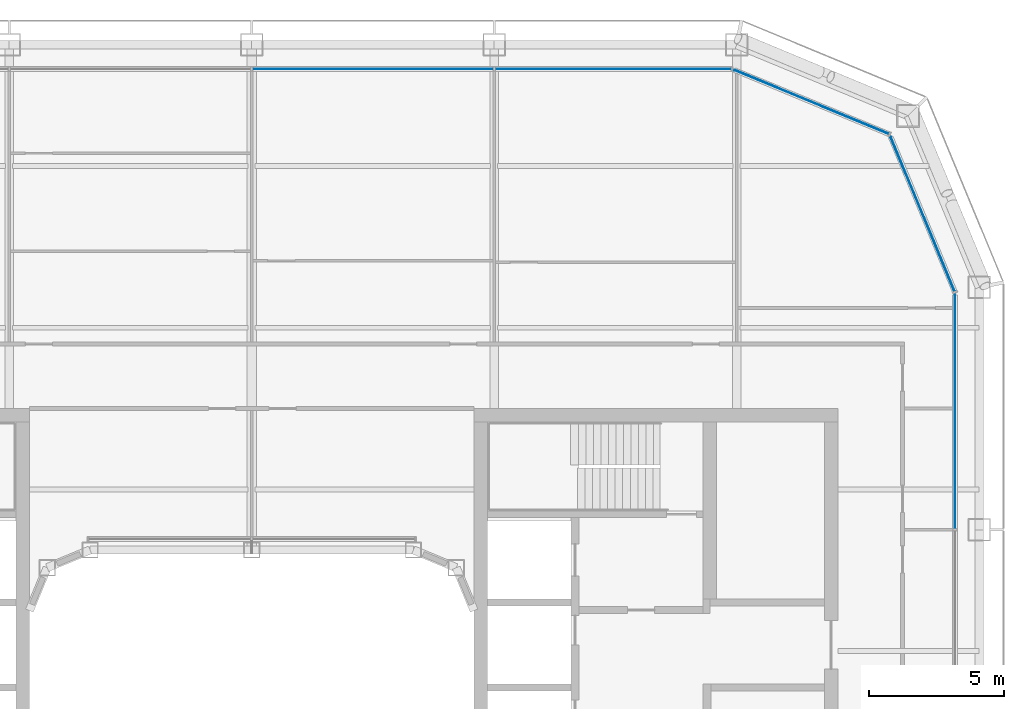
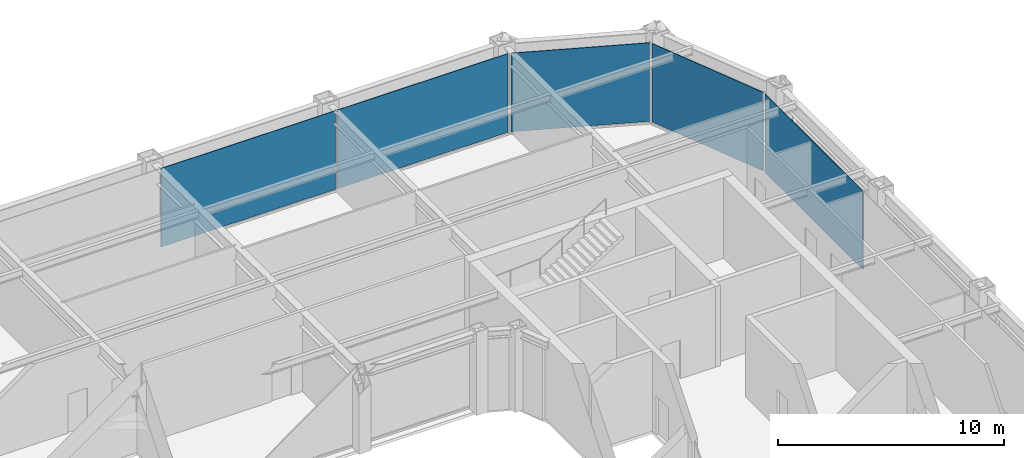
# One storey, part 12 of 24: 5 plates, 4 elements without a shape of their own.
"""IFC4 building model written with IfcOpenShell, lengths in metres."""

from ifc_helpers import new_model, si_unit, direction, frame, origin, origin_2d, place, context, subcontext, project, spatial, rectangle, extrude, material, layer, layer_set, type_object, element, aggregate, save


model = new_model("IFC4")

# Units and contexts
model_context = context("Model", 3, precision=1e-05, world=origin(), true_north=direction((0.0, 1.0)))
body_context = subcontext(model_context, "Body", "Model", "MODEL_VIEW")
ifc_project = project(units=[si_unit("LENGTHUNIT", "METRE"), si_unit("AREAUNIT", "SQUARE_METRE"), si_unit("VOLUMEUNIT", "CUBIC_METRE"), si_unit("PLANEANGLEUNIT", "RADIAN"), si_unit("MASSUNIT", "GRAM", prefix="KILO")], contexts=[model_context])

# Site, building, storey
site_placement = place(None, origin())
site = spatial("IfcSite", under=ifc_project, at=site_placement, CompositionType="ELEMENT")
building_placement = place(site_placement, origin())
building = spatial("IfcBuilding", under=site, at=building_placement, Name="Siwar Civic Tower", CompositionType="ELEMENT")
storey_placement = place(building_placement, frame((0.0, 0.0, 215.199951171875)))
storey = spatial("IfcBuildingStorey", under=building, at=storey_placement, Name="L46", CompositionType="ELEMENT", Elevation=215.199951171875)

# Curtain wall, plate
ifc_material_1 = material(Name="Aluminium and glass", Category="aluminium")
ifc_layer_1 = layer(ifc_material_1, 0.179931640625)
ifc_layer_set_1 = layer_set([ifc_layer_1], Name="Aluminium and glass")
curtain_wall_type_1 = type_object("IfcCurtainWallType", Name="ENV-CW-C", PredefinedType="NOTDEFINED", material=ifc_layer_set_1)
curtain_wall_1_placement = place(storey_placement, origin())
curtain_wall_1 = element("IfcCurtainWall", 1, at=curtain_wall_1_placement, inside=storey, type_object=curtain_wall_type_1, Name="Curtain wall C E", PredefinedType="NOTDEFINED")
ifc_material_2 = material(Name="Glass clear laminated", Category="glass")
ifc_layer_2 = layer(ifc_material_2, 0.031982421875)
ifc_layer_set_2 = layer_set([ifc_layer_2], Name="Glass clear laminated")
plate_type_1 = type_object("IfcPlateType", Name="ENV-PANEL-C", PredefinedType="CURTAIN_PANEL", material=ifc_layer_set_2)
plate_1_placement = place(storey_placement, frame((26.10009765625, 13.373046875, 0.10009765625), z_axis=(0.0, 0.0, 1.0), x_axis=(0.0, 1.0, 0.0)))
plate_1 = element("IfcPlate", 2, at=plate_1_placement, type_object=plate_type_1, Name="Curtain panel C E 4", PredefinedType="CURTAIN_PANEL", context=body_context, shape_type="SweptSolid", body=[
    extrude(rectangle(XDim=8.68603515625, YDim=0.031982421875, at=origin_2d()), origin(), (0.0, 0.0, 1.0), 4.25),
])
aggregate(curtain_wall_1, [plate_1])

# Curtain wall, plates
curtain_wall_2_placement = place(storey_placement, origin())
curtain_wall_2 = element("IfcCurtainWall", 3, at=curtain_wall_2_placement, inside=storey, type_object=curtain_wall_type_1, Name="Curtain wall C N", PredefinedType="NOTDEFINED")
plate_2_placement = place(storey_placement, frame((13.410400390625, 26.10009765625, 0.10009765625), z_axis=(0.0, 0.0, 1.0), x_axis=(-1.0, 0.0, 0.0)))
plate_2 = element("IfcPlate", 4, at=plate_2_placement, type_object=plate_type_1, Name="Curtain panel C N 1", PredefinedType="CURTAIN_PANEL", context=body_context, shape_type="SweptSolid", body=[
    extrude(rectangle(XDim=8.760986328125, YDim=0.031982421875, at=origin_2d()), origin(), (0.0, 0.0, 1.0), 4.25),
])
plate_3_placement = place(storey_placement, frame((4.5, 26.10009765625, 0.10009765625), z_axis=(0.0, 0.0, 1.0), x_axis=(-1.0, 0.0, 0.0)))
plate_3 = element("IfcPlate", 5, at=plate_3_placement, type_object=plate_type_1, Name="Curtain panel C N 2", PredefinedType="CURTAIN_PANEL", context=body_context, shape_type="SweptSolid", body=[
    extrude(rectangle(XDim=8.93994140625, YDim=0.031982421875, at=origin_2d()), origin(), (0.0, 0.0, 1.0), 4.25),
])
aggregate(curtain_wall_2, [plate_2, plate_3])

# Curtain wall, plate
ifc_material_3 = material(Name="Aluminium clad insulated panel", Category="aluminium")
ifc_layer_3 = layer(ifc_material_3, 0.179931640625)
ifc_layer_set_3 = layer_set([ifc_layer_3], Name="Aluminium clad insulated panel")
curtain_wall_type_2 = type_object("IfcCurtainWallType", Name="ENV-CW-CX", PredefinedType="NOTDEFINED", material=ifc_layer_set_3)
curtain_wall_3_placement = place(storey_placement, origin())
curtain_wall_3 = element("IfcCurtainWall", 6, at=curtain_wall_3_placement, inside=storey, type_object=curtain_wall_type_2, Name="Curtain wall C NE1", PredefinedType="NOTDEFINED")
ifc_material_4 = material(Name="Aluminium clad insulated panel", Category="aluminium")
ifc_layer_4 = layer(ifc_material_4, 0.031982421875)
ifc_layer_set_4 = layer_set([ifc_layer_4], Name="Aluminium clad insulated panel")
plate_type_2 = type_object("IfcPlateType", Name="ENV-PANEL-CX", PredefinedType="CURTAIN_PANEL", material=ifc_layer_set_4)
plate_4_placement = place(storey_placement, frame((24.90185546875, 20.71337890625, 0.10009765625), z_axis=(0.0, 0.0, 1.0), x_axis=(-0.382683432365, 0.923879532511, 0.0)))
plate_4 = element("IfcPlate", 7, at=plate_4_placement, type_object=plate_type_2, Name="Curtain panel C NE1 1", PredefinedType="CURTAIN_PANEL", context=body_context, shape_type="SweptSolid", body=[
    extrude(rectangle(XDim=6.20166015625, YDim=0.031982421875, at=origin_2d()), origin(), (0.0, 0.0, 1.0), 4.25),
])
aggregate(curtain_wall_3, [plate_4])

curtain_wall_4_placement = place(storey_placement, origin())
curtain_wall_4 = element("IfcCurtainWall", 8, at=curtain_wall_4_placement, inside=storey, type_object=curtain_wall_type_2, Name="Curtain wall C NE2", PredefinedType="NOTDEFINED")
plate_5_placement = place(storey_placement, frame((20.78271484375, 24.873291015625, 0.10009765625), z_axis=(0.0, 0.0, 1.0), x_axis=(-0.923879532511, 0.382683432365, 0.0)))
plate_5 = element("IfcPlate", 9, at=plate_5_placement, type_object=plate_type_2, Name="Curtain panel C NE2 1", PredefinedType="CURTAIN_PANEL", context=body_context, shape_type="SweptSolid", body=[
    extrude(rectangle(XDim=6.20166015625, YDim=0.031982421875, at=origin_2d()), origin(), (0.0, 0.0, 1.0), 4.25),
])
aggregate(curtain_wall_4, [plate_5])

save(model, "model.ifc")
